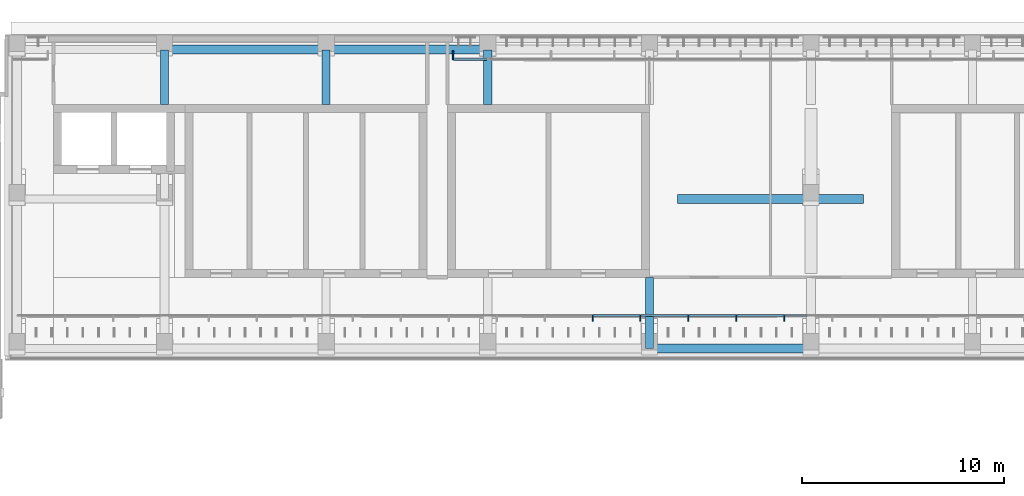
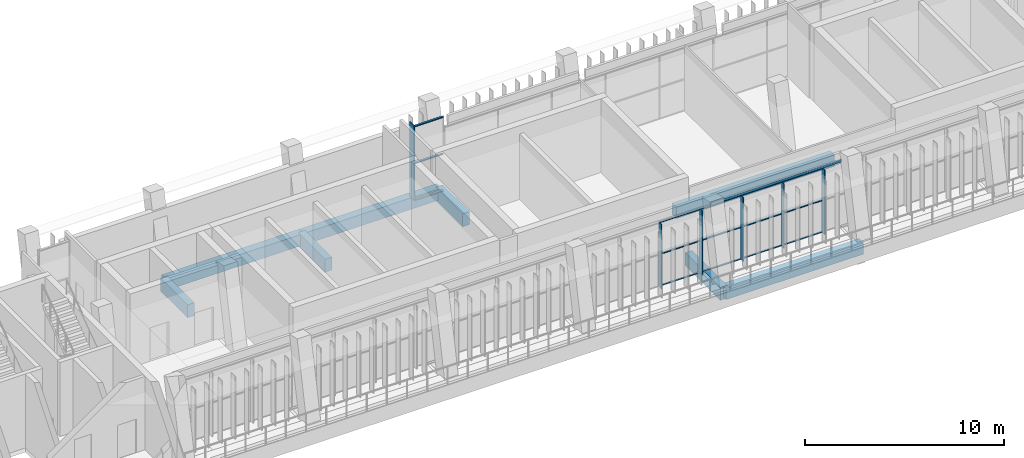
# One storey, part 35 of 89: 21 members, 9 beams, 2 elements without a shape of their own.
"""IFC4 building model written with IfcOpenShell, lengths in metres."""

import ifcopenshell
import ifcopenshell.guid

model = None  # the IFC model being written
_history = None  # IfcOwnerHistory: only IFC2X3 demands one
_inside = {}  # id of a spatial element -> (the spatial element, [elements in it])
_under = {}  # id of a project, library or spatial element -> (it, [spatial elements below it])
_declared = {}  # id of a project -> (the project, [libraries it declares])
_typed = {}  # id of a type object -> (the type object, [elements of that type])
_made_of = {}  # id of a material, layer set ... -> (it, [elements and type objects made of it])


def new_model(schema):
    """Start an empty IFC model of exactly this schema.

    Asked for "IFC4X3", IfcOpenShell would pick the latest addendum, in which some entities
    have other attributes; the version numbers below select the first issue.
    IFC2X3 requires an IfcOwnerHistory on every rooted entity: one is made here for all.
    """
    global model, _history
    if schema == "IFC4X3":
        model = ifcopenshell.file(schema_version=(4, 3, 0, 0))
    else:
        model = ifcopenshell.file(schema=schema)
    _inside.clear()
    _under.clear()
    _declared.clear()
    _typed.clear()
    _made_of.clear()
    _history = None
    if model.schema == "IFC2X3":
        org = make("IfcOrganization", Name="unknown")
        user = make(
            "IfcPersonAndOrganization",
            ThePerson=make("IfcPerson", FamilyName="unknown"),
            TheOrganization=org,
        )
        app = make(
            "IfcApplication",
            ApplicationDeveloper=org,
            Version="unknown",
            ApplicationFullName="unknown",
            ApplicationIdentifier="unknown",
        )
        _history = make(
            "IfcOwnerHistory",
            OwningUser=user,
            OwningApplication=app,
            ChangeAction="ADDED",
            CreationDate=0,
        )
    return model


def make(cls, **values):
    """One entity of the class cls with the attributes given. An attribute that is None is left unset."""
    return model.create_entity(
        cls, **{name: value for name, value in values.items() if value is not None}
    )


def rooted(cls, **values):
    """An entity with a GlobalId (a new one), such as an element, a storey or a relation."""
    return make(cls, GlobalId=ifcopenshell.guid.new(), OwnerHistory=_history, **values)


def si_unit(unit_type, name, prefix=None):
    """IfcSIUnit, for example si_unit("LENGTHUNIT", "METRE", prefix="MILLI")."""
    return make("IfcSIUnit", UnitType=unit_type, Prefix=prefix, Name=name)


def assignment(units):
    """IfcUnitAssignment: the units of a project."""
    return None if units is None else make("IfcUnitAssignment", Units=units)


def point(xyz):
    """IfcCartesianPoint."""
    return None if xyz is None else make("IfcCartesianPoint", Coordinates=xyz)


def direction(xyz):
    """IfcDirection."""
    return None if xyz is None else make("IfcDirection", DirectionRatios=xyz)


def frame(location, z_axis=None, x_axis=None):
    """IfcAxis2Placement3D, a coordinate frame: its origin and axes. An axis left out is left unset."""
    return make(
        "IfcAxis2Placement3D",
        Location=point(location),
        Axis=direction(z_axis),
        RefDirection=direction(x_axis),
    )


def frame_2d(location, x_axis=None):
    """IfcAxis2Placement2D, a coordinate frame in the plane: its origin and x axis."""
    return make(
        "IfcAxis2Placement2D", Location=point(location), RefDirection=direction(x_axis)
    )


def origin():
    """The frame at (0, 0, 0) with its axes left unset."""
    return frame((0.0, 0.0, 0.0))


def origin_2d():
    """The frame at (0, 0) in the plane with its x axis left unset."""
    return frame_2d((0.0, 0.0))


def place(relative_to, where):
    """IfcLocalPlacement: puts the frame where relative to a parent placement (None: the world)."""
    return make(
        "IfcLocalPlacement", PlacementRelTo=relative_to, RelativePlacement=where
    )


def context(
    kind, dimensions, precision=None, world=None, true_north=None, identifier=None
):
    """IfcGeometricRepresentationContext, for example the 3D "Model" context."""
    return make(
        "IfcGeometricRepresentationContext",
        ContextIdentifier=identifier,
        ContextType=kind,
        CoordinateSpaceDimension=dimensions,
        Precision=precision,
        WorldCoordinateSystem=world,
        TrueNorth=true_north,
    )


def subcontext(parent, identifier, kind, view, scale=None):
    """IfcGeometricRepresentationSubContext, for example "Body" below "Model"."""
    return make(
        "IfcGeometricRepresentationSubContext",
        ContextIdentifier=identifier,
        ContextType=kind,
        ParentContext=parent,
        TargetScale=scale,
        TargetView=view,
    )


def project(units=None, contexts=None):
    """IfcProject with its units and contexts."""
    return rooted(
        "IfcProject",
        Name="project",
        RepresentationContexts=contexts,
        UnitsInContext=assignment(units),
    )


def spatial(cls, under=None, at=None, **own):
    """A site, building, storey or space (cls), placed at a placement, below another one or the project."""
    s = rooted(cls, ObjectPlacement=at, **own)
    if under is not None:
        _under.setdefault(under.id(), (under, []))[1].append(s)
    return s


def profile(cls, at=None, kind="AREA", **sizes):
    """A parametric profile (cls). Its sizes go by their IFC names, for example OverallWidth=200.0."""
    return make(cls, ProfileType=kind, Position=at, **sizes)


def rectangle(**sizes):
    """IfcRectangleProfileDef."""
    return profile("IfcRectangleProfileDef", **sizes)


def hollow_rectangle(**sizes):
    """IfcRectangleHollowProfileDef."""
    return profile("IfcRectangleHollowProfileDef", **sizes)


def extrude(swept, where, along, depth):
    """IfcExtrudedAreaSolid: the profile swept, set in the frame where, extruded along a direction by depth."""
    return make(
        "IfcExtrudedAreaSolid",
        SweptArea=swept,
        Position=where,
        ExtrudedDirection=direction(along),
        Depth=depth,
    )


def shape(context_of_items, identifier, shape_type, items):
    """IfcShapeRepresentation: the items that make up one representation, for example the "Body"."""
    return make(
        "IfcShapeRepresentation",
        ContextOfItems=context_of_items,
        RepresentationIdentifier=identifier,
        RepresentationType=shape_type,
        Items=items,
    )


def material(Name=None, Category=None):
    """IfcMaterial."""
    return make("IfcMaterial", Name=Name, Category=Category)


def material_profile(
    of_material, cross_section, Name=None, Category=None, Priority=None
):
    """IfcMaterialProfile: a cross section and its material."""
    return make(
        "IfcMaterialProfile",
        Name=Name,
        Material=of_material,
        Profile=cross_section,
        Priority=Priority,
        Category=Category,
    )


def profile_set(profiles, Name=None, composite=None):
    """IfcMaterialProfileSet."""
    return make(
        "IfcMaterialProfileSet",
        Name=Name,
        MaterialProfiles=profiles,
        CompositeProfile=composite,
    )


def made_of(thing, what):
    """Note that an element or type object is made of a material, layer set ...; save() writes the relation."""
    if what is not None:
        _made_of.setdefault(what.id(), (what, []))[1].append(thing)
    return thing


def type_object(cls, material=None, **own):
    """A type object (cls), such as IfcWallType, which elements share."""
    return made_of(rooted(cls, **own), material)


def element(
    cls,
    number,
    at=None,
    inside=None,
    cuts=None,
    type_object=None,
    material=None,
    context=None,
    identifier="Body",
    shape_type=None,
    held_by="IfcProductDefinitionShape",
    body=None,
    shapes=None,
    **own,
):
    """One element of the class cls, such as IfcWall. Its Tag is "e" and its number.

    at: its placement. inside: the storey or other place that contains it. cuts: it is an
    opening in that element (IfcRelVoidsElement). A single representation is given by context,
    identifier, shape_type and body (its items); several are given by shapes. held_by: the class
    of the entity that holds the representations. save() writes the other relations.
    """
    e = rooted(cls, Tag="e%d" % number, ObjectPlacement=at, **own)
    if body is not None:
        shapes = [shape(context, identifier, shape_type, body)]
    if shapes is not None:
        e.Representation = make(held_by, Representations=shapes)
    if inside is not None:
        _inside.setdefault(inside.id(), (inside, []))[1].append(e)
    if cuts is not None:
        rooted(
            "IfcRelVoidsElement", RelatingBuildingElement=cuts, RelatedOpeningElement=e
        )
    if type_object is not None:
        _typed.setdefault(type_object.id(), (type_object, []))[1].append(e)
    return made_of(e, material)


def aggregate(whole, parts):
    """IfcRelAggregates: a whole, such as a stair, and the parts it consists of."""
    return rooted("IfcRelAggregates", RelatingObject=whole, RelatedObjects=parts)


def save(model, path):
    """Write the relations noted so far, then the file.

    IfcRelAggregates (storeys below a building ...), IfcRelContainedInSpatialStructure (elements
    in a storey), IfcRelDefinesByType, IfcRelAssociatesMaterial and IfcRelDeclares: one each for
    every whole, place, type object, material and project.
    """
    for whole, parts in _under.values():
        aggregate(whole, parts)
    for where, things in _inside.values():
        rooted(
            "IfcRelContainedInSpatialStructure",
            RelatedElements=things,
            RelatingStructure=where,
        )
    for kind, things in _typed.values():
        rooted("IfcRelDefinesByType", RelatedObjects=things, RelatingType=kind)
    for what, things in _made_of.values():
        rooted("IfcRelAssociatesMaterial", RelatedObjects=things, RelatingMaterial=what)
    for by, libraries in _declared.values():
        rooted("IfcRelDeclares", RelatingContext=by, RelatedDefinitions=libraries)
    model.write(path)


model = new_model("IFC4")

# Units and contexts
model_context = context("Model", 3, precision=1e-05, world=origin(), true_north=direction((0.0, 1.0)))
body_context = subcontext(model_context, "Body", "Model", "MODEL_VIEW")
ifc_project = project(units=[si_unit("LENGTHUNIT", "METRE"), si_unit("AREAUNIT", "SQUARE_METRE"), si_unit("VOLUMEUNIT", "CUBIC_METRE"), si_unit("PLANEANGLEUNIT", "RADIAN"), si_unit("MASSUNIT", "GRAM", prefix="KILO")], contexts=[model_context])

# Site, building, storey
site_placement = place(None, origin())
site = spatial("IfcSite", under=ifc_project, at=site_placement, CompositionType="ELEMENT")
building_placement = place(site_placement, origin())
building = spatial("IfcBuilding", under=site, at=building_placement, Name="Lantern Court Media Centre", CompositionType="ELEMENT")
storey_placement = place(building_placement, frame((0.0, 0.0, 14.39990234375)))
storey = spatial("IfcBuildingStorey", under=building, at=storey_placement, Name="L03", CompositionType="ELEMENT", Elevation=14.39990234375)

# Curtain wall, members
ifc_material_1 = material(Name="Curtain wall bay 2400")
curtain_wall_type_1 = type_object("IfcCurtainWallType", Name="Curtain wall bay 2400", PredefinedType="NOTDEFINED", material=ifc_material_1)
curtain_wall_1_placement = place(storey_placement, origin())
curtain_wall_1 = element("IfcCurtainWall", 1, at=curtain_wall_1_placement, inside=storey, type_object=curtain_wall_type_1, Name="Curtain wall N inner L03", PredefinedType="NOTDEFINED")
ifc_material_2 = material(Name="Anodised aluminium", Category="aluminium")
ifc_material_profile_1 = material_profile(ifc_material_2, rectangle(XDim=0.300048828125, YDim=0.050048828125, at=origin_2d()), Name="AL 50x300")
ifc_profile_set_1 = profile_set([ifc_material_profile_1], Name="Anodised aluminium")
member_type_1 = type_object("IfcMemberType", Name="Curtain wall mullion 50x300", PredefinedType="MULLION", material=ifc_profile_set_1)
member_1_placement = place(storey_placement, frame((53.18701171875, 101.030029296875, 0.0), z_axis=(0.0, 0.0, 1.0), x_axis=(0.0, 1.0, 0.0)))
member_1 = element("IfcMember", 2, at=member_1_placement, type_object=member_type_1, Name="CW2 mullion 13", PredefinedType="MULLION", context=body_context, shape_type="SweptSolid", body=[
    extrude(rectangle(XDim=0.300048828125, YDim=0.050048828125, at=origin_2d()), origin(), (0.0, 0.0, 1.0), 3.9501953125),
])
member_2_placement = place(storey_placement, frame((55.560791015625, 101.030029296875, 0.0), z_axis=(0.0, 0.0, 1.0), x_axis=(0.0, 1.0, 0.0)))
member_2 = element("IfcMember", 3, at=member_2_placement, type_object=member_type_1, Name="CW2 mullion 14", PredefinedType="MULLION", context=body_context, shape_type="SweptSolid", body=[
    extrude(rectangle(XDim=0.300048828125, YDim=0.050048828125, at=origin_2d()), origin(), (0.0, 0.0, 1.0), 3.9501953125),
])
member_3_placement = place(storey_placement, frame((57.934814453125, 101.030029296875, 0.0), z_axis=(0.0, 0.0, 1.0), x_axis=(0.0, 1.0, 0.0)))
member_3 = element("IfcMember", 4, at=member_3_placement, type_object=member_type_1, Name="CW2 mullion 15", PredefinedType="MULLION", context=body_context, shape_type="SweptSolid", body=[
    extrude(rectangle(XDim=0.300048828125, YDim=0.050048828125, at=origin_2d()), origin(), (0.0, 0.0, 1.0), 3.9501953125),
])
member_4_placement = place(storey_placement, frame((60.30859375, 101.030029296875, 0.0), z_axis=(0.0, 0.0, 1.0), x_axis=(0.0, 1.0, 0.0)))
member_4 = element("IfcMember", 5, at=member_4_placement, type_object=member_type_1, Name="CW2 mullion 16", PredefinedType="MULLION", context=body_context, shape_type="SweptSolid", body=[
    extrude(rectangle(XDim=0.300048828125, YDim=0.050048828125, at=origin_2d()), origin(), (0.0, 0.0, 1.0), 3.9501953125),
])
member_5_placement = place(storey_placement, frame((62.6826171875, 101.030029296875, 0.0), z_axis=(0.0, 0.0, 1.0), x_axis=(0.0, 1.0, 0.0)))
member_5 = element("IfcMember", 6, at=member_5_placement, type_object=member_type_1, Name="CW2 mullion 17", PredefinedType="MULLION", context=body_context, shape_type="SweptSolid", body=[
    extrude(rectangle(XDim=0.300048828125, YDim=0.050048828125, at=origin_2d()), origin(), (0.0, 0.0, 1.0), 3.9501953125),
])

# Curtain wall, member
ifc_material_3 = material(Name="Curtain wall bay 3000")
curtain_wall_type_2 = type_object("IfcCurtainWallType", Name="Curtain wall bay 3000", PredefinedType="NOTDEFINED", material=ifc_material_3)
curtain_wall_2_placement = place(storey_placement, origin())
curtain_wall_2 = element("IfcCurtainWall", 7, at=curtain_wall_2_placement, inside=storey, type_object=curtain_wall_type_2, Name="Curtain wall N outer L03", PredefinedType="NOTDEFINED")
ifc_material_profile_2 = material_profile(ifc_material_2, rectangle(XDim=0.449951171875, YDim=0.06005859375, at=origin_2d()), Name="AL 60x450")
ifc_profile_set_2 = profile_set([ifc_material_profile_2], Name="Anodised aluminium")
member_type_2 = type_object("IfcMemberType", Name="Curtain wall mullion 60x450", PredefinedType="MULLION", material=ifc_profile_set_2)
member_6_placement = place(storey_placement, frame((46.280029296875, 114.044921875, 0.0), z_axis=(0.0, 0.0, 1.0), x_axis=(0.0, 1.0, 0.0)))
member_6 = element("IfcMember", 8, at=member_6_placement, type_object=member_type_2, Name="CW1 mullion 1", PredefinedType="MULLION", context=body_context, shape_type="SweptSolid", body=[
    extrude(rectangle(XDim=0.449951171875, YDim=0.06005859375, at=origin_2d()), origin(), (0.0, 0.0, 1.0), 4.580078125),
])

# Member
ifc_material_profile_3 = material_profile(ifc_material_2, rectangle(XDim=0.10009765625, YDim=0.050048828125, at=origin_2d()), Name="AL 50x100")
ifc_profile_set_3 = profile_set([ifc_material_profile_3], Name="Anodised aluminium")
member_type_3 = type_object("IfcMemberType", Name="Curtain wall transom 100x50", PredefinedType="USERDEFINED", material=ifc_profile_set_3)
member_7_placement = place(storey_placement, frame((53.2119140625, 101.14990234375, 0.025146484375), z_axis=(1.0, 0.0, 0.0), x_axis=(0.0, 1.0, 0.0)))
member_7 = element("IfcMember", 9, at=member_7_placement, type_object=member_type_3, Name="CW2 transom 13.1", ObjectType="TRANSOM", PredefinedType="USERDEFINED", context=body_context, shape_type="SweptSolid", body=[
    extrude(rectangle(XDim=0.10009765625, YDim=0.050048828125, at=origin_2d()), origin(), (0.0, 0.0, 1.0), 2.323974609375),
])

member_8_placement = place(storey_placement, frame((53.2119140625, 101.14990234375, 1.97509765625), z_axis=(1.0, 0.0, 0.0), x_axis=(0.0, 1.0, 0.0)))
member_8 = element("IfcMember", 10, at=member_8_placement, type_object=member_type_3, Name="CW2 transom 13.2", ObjectType="TRANSOM", PredefinedType="USERDEFINED", context=body_context, shape_type="SweptSolid", body=[
    extrude(rectangle(XDim=0.10009765625, YDim=0.050048828125, at=origin_2d()), origin(), (0.0, 0.0, 1.0), 2.323974609375),
])

member_9_placement = place(storey_placement, frame((53.2119140625, 101.14990234375, 3.925048828125), z_axis=(1.0, 0.0, 0.0), x_axis=(0.0, 1.0, 0.0)))
member_9 = element("IfcMember", 11, at=member_9_placement, type_object=member_type_3, Name="CW2 transom 13.3", ObjectType="TRANSOM", PredefinedType="USERDEFINED", context=body_context, shape_type="SweptSolid", body=[
    extrude(rectangle(XDim=0.10009765625, YDim=0.050048828125, at=origin_2d()), origin(), (0.0, 0.0, 1.0), 2.323974609375),
])

member_10_placement = place(storey_placement, frame((55.5859375, 101.14990234375, 0.025146484375), z_axis=(1.0, 0.0, 0.0), x_axis=(0.0, 1.0, 0.0)))
member_10 = element("IfcMember", 12, at=member_10_placement, type_object=member_type_3, Name="CW2 transom 14.1", ObjectType="TRANSOM", PredefinedType="USERDEFINED", context=body_context, shape_type="SweptSolid", body=[
    extrude(rectangle(XDim=0.10009765625, YDim=0.050048828125, at=origin_2d()), origin(), (0.0, 0.0, 1.0), 2.32373046875),
])

member_11_placement = place(storey_placement, frame((55.5859375, 101.14990234375, 1.97509765625), z_axis=(1.0, 0.0, 0.0), x_axis=(0.0, 1.0, 0.0)))
member_11 = element("IfcMember", 13, at=member_11_placement, type_object=member_type_3, Name="CW2 transom 14.2", ObjectType="TRANSOM", PredefinedType="USERDEFINED", context=body_context, shape_type="SweptSolid", body=[
    extrude(rectangle(XDim=0.10009765625, YDim=0.050048828125, at=origin_2d()), origin(), (0.0, 0.0, 1.0), 2.32373046875),
])

member_12_placement = place(storey_placement, frame((55.5859375, 101.14990234375, 3.925048828125), z_axis=(1.0, 0.0, 0.0), x_axis=(0.0, 1.0, 0.0)))
member_12 = element("IfcMember", 14, at=member_12_placement, type_object=member_type_3, Name="CW2 transom 14.3", ObjectType="TRANSOM", PredefinedType="USERDEFINED", context=body_context, shape_type="SweptSolid", body=[
    extrude(rectangle(XDim=0.10009765625, YDim=0.050048828125, at=origin_2d()), origin(), (0.0, 0.0, 1.0), 2.32373046875),
])

member_13_placement = place(storey_placement, frame((57.959716796875, 101.14990234375, 0.025146484375), z_axis=(1.0, 0.0, 0.0), x_axis=(0.0, 1.0, 0.0)))
member_13 = element("IfcMember", 15, at=member_13_placement, type_object=member_type_3, Name="CW2 transom 15.1", ObjectType="TRANSOM", PredefinedType="USERDEFINED", context=body_context, shape_type="SweptSolid", body=[
    extrude(rectangle(XDim=0.10009765625, YDim=0.050048828125, at=origin_2d()), origin(), (0.0, 0.0, 1.0), 2.323974609375),
])

member_14_placement = place(storey_placement, frame((57.959716796875, 101.14990234375, 1.97509765625), z_axis=(1.0, 0.0, 0.0), x_axis=(0.0, 1.0, 0.0)))
member_14 = element("IfcMember", 16, at=member_14_placement, type_object=member_type_3, Name="CW2 transom 15.2", ObjectType="TRANSOM", PredefinedType="USERDEFINED", context=body_context, shape_type="SweptSolid", body=[
    extrude(rectangle(XDim=0.10009765625, YDim=0.050048828125, at=origin_2d()), origin(), (0.0, 0.0, 1.0), 2.323974609375),
])

member_15_placement = place(storey_placement, frame((57.959716796875, 101.14990234375, 3.925048828125), z_axis=(1.0, 0.0, 0.0), x_axis=(0.0, 1.0, 0.0)))
member_15 = element("IfcMember", 17, at=member_15_placement, type_object=member_type_3, Name="CW2 transom 15.3", ObjectType="TRANSOM", PredefinedType="USERDEFINED", context=body_context, shape_type="SweptSolid", body=[
    extrude(rectangle(XDim=0.10009765625, YDim=0.050048828125, at=origin_2d()), origin(), (0.0, 0.0, 1.0), 2.323974609375),
])

member_16_placement = place(storey_placement, frame((60.333740234375, 101.14990234375, 0.025146484375), z_axis=(1.0, 0.0, 0.0), x_axis=(0.0, 1.0, 0.0)))
member_16 = element("IfcMember", 18, at=member_16_placement, type_object=member_type_3, Name="CW2 transom 16.1", ObjectType="TRANSOM", PredefinedType="USERDEFINED", context=body_context, shape_type="SweptSolid", body=[
    extrude(rectangle(XDim=0.10009765625, YDim=0.050048828125, at=origin_2d()), origin(), (0.0, 0.0, 1.0), 2.323974609375),
])

member_17_placement = place(storey_placement, frame((60.333740234375, 101.14990234375, 1.97509765625), z_axis=(1.0, 0.0, 0.0), x_axis=(0.0, 1.0, 0.0)))
member_17 = element("IfcMember", 19, at=member_17_placement, type_object=member_type_3, Name="CW2 transom 16.2", ObjectType="TRANSOM", PredefinedType="USERDEFINED", context=body_context, shape_type="SweptSolid", body=[
    extrude(rectangle(XDim=0.10009765625, YDim=0.050048828125, at=origin_2d()), origin(), (0.0, 0.0, 1.0), 2.323974609375),
])

member_18_placement = place(storey_placement, frame((60.333740234375, 101.14990234375, 3.925048828125), z_axis=(1.0, 0.0, 0.0), x_axis=(0.0, 1.0, 0.0)))
member_18 = element("IfcMember", 20, at=member_18_placement, type_object=member_type_3, Name="CW2 transom 16.3", ObjectType="TRANSOM", PredefinedType="USERDEFINED", context=body_context, shape_type="SweptSolid", body=[
    extrude(rectangle(XDim=0.10009765625, YDim=0.050048828125, at=origin_2d()), origin(), (0.0, 0.0, 1.0), 2.323974609375),
])

aggregate(curtain_wall_1, [member_1, member_2, member_3, member_4, member_5, member_7, member_8, member_9, member_10, member_11, member_12, member_13, member_14, member_15, member_16, member_17, member_18])

ifc_material_profile_4 = material_profile(ifc_material_2, rectangle(XDim=0.1201171875, YDim=0.06005859375, at=origin_2d()), Name="AL 60x120")
ifc_profile_set_4 = profile_set([ifc_material_profile_4], Name="Anodised aluminium")
member_type_4 = type_object("IfcMemberType", Name="Curtain wall transom 60x120", PredefinedType="USERDEFINED", material=ifc_profile_set_4)
member_19_placement = place(storey_placement, frame((46.31005859375, 113.85009765625, 0.030029296875), z_axis=(1.0, 0.0, 0.0), x_axis=(0.0, 1.0, 0.0)))
member_19 = element("IfcMember", 21, at=member_19_placement, type_object=member_type_4, Name="CW1 transom 1.1", ObjectType="TRANSOM", PredefinedType="USERDEFINED", context=body_context, shape_type="SweptSolid", body=[
    extrude(rectangle(XDim=0.1201171875, YDim=0.06005859375, at=origin_2d()), origin(), (0.0, 0.0, 1.0), 1.6298828125),
])

member_20_placement = place(storey_placement, frame((46.31005859375, 113.85009765625, 2.2900390625), z_axis=(1.0, 0.0, 0.0), x_axis=(0.0, 1.0, 0.0)))
member_20 = element("IfcMember", 22, at=member_20_placement, type_object=member_type_4, Name="CW1 transom 1.2", ObjectType="TRANSOM", PredefinedType="USERDEFINED", context=body_context, shape_type="SweptSolid", body=[
    extrude(rectangle(XDim=0.1201171875, YDim=0.06005859375, at=origin_2d()), origin(), (0.0, 0.0, 1.0), 1.6298828125),
])

member_21_placement = place(storey_placement, frame((46.31005859375, 113.85009765625, 4.550048828125), z_axis=(1.0, 0.0, 0.0), x_axis=(0.0, 1.0, 0.0)))
member_21 = element("IfcMember", 23, at=member_21_placement, type_object=member_type_4, Name="CW1 transom 1.3", ObjectType="TRANSOM", PredefinedType="USERDEFINED", context=body_context, shape_type="SweptSolid", body=[
    extrude(rectangle(XDim=0.1201171875, YDim=0.06005859375, at=origin_2d()), origin(), (0.0, 0.0, 1.0), 1.6298828125),
])

aggregate(curtain_wall_2, [member_6, member_19, member_20, member_21])

# Beams
ifc_material_4 = material(Name="Steel S355J2 (EN 10025-2)", Category="steel")
ifc_material_profile_5 = material_profile(ifc_material_4, hollow_rectangle(XDim=0.10009765625, YDim=0.14990234375, WallThickness=0.00634765625, InnerFilletRadius=0.00634765625, OuterFilletRadius=0.009521484375, at=origin_2d()), Name="Facade head lintel RHS 150x100x6.3")
ifc_profile_set_5 = profile_set([ifc_material_profile_5], Name="Steel S355J2 (EN 10025-2)")
beam_type_1 = type_object("IfcBeamType", Name="Facade head lintel RHS 150x100x6.3", PredefinedType="BEAM", material=ifc_profile_set_5)
beam_1_placement = place(storey_placement, frame((56.199951171875, 101.14990234375, 4.025146484375), z_axis=(1.0, 0.0, 0.0), x_axis=(0.0, 1.0, 0.0)))
element("IfcBeam", 24, at=beam_1_placement, inside=storey, type_object=beam_type_1, Name="Facade head lintel N L03", PredefinedType="BEAM", context=body_context, shape_type="SweptSolid", body=[
    extrude(hollow_rectangle(XDim=0.10009765625, YDim=0.14990234375, WallThickness=0.00634765625, InnerFilletRadius=0.00634765625, OuterFilletRadius=0.009521484375, at=origin_2d()), origin(), (0.0, 0.0, 1.0), 7.60009765625),
])
ifc_material_5 = material(Name="Concrete C35", Category="concrete")
ifc_material_profile_6 = material_profile(ifc_material_5, rectangle(XDim=0.39990234375, YDim=0.800048828125, at=origin_2d()), Name="RC 400x800")
ifc_profile_set_6 = profile_set([ifc_material_profile_6], Name="Concrete C35")
beam_type_2 = type_object("IfcBeamType", Name="RC BEAM 400x800", PredefinedType="BEAM", material=ifc_profile_set_6)
for number, where, z_axis, x_axis, name in (
    (25, (32.0, 111.60009765625, -0.39990234375), (0.0, 1.0, 0.0), (-1.0, 0.0, 0.0), "TB-N-L03-1-21"),
    (26, (40.0, 111.60009765625, -0.39990234375), (0.0, 1.0, 0.0), (-1.0, 0.0, 0.0), "TB-N-L03-2-11"),
    (27, (48.0, 111.60009765625, -0.39990234375), (0.0, 1.0, 0.0), (-1.0, 0.0, 0.0), "TB-N-L03-3-11"),
):
    element("IfcBeam", number, at=place(storey_placement, frame(where, z_axis=z_axis, x_axis=x_axis)), inside=storey, type_object=beam_type_2, Name=name, PredefinedType="BEAM", context=body_context, shape_type="SweptSolid", body=[
        extrude(rectangle(XDim=0.39990234375, YDim=0.800048828125, at=origin_2d()), origin(), (0.0, 0.0, 1.0), 2.716552734375),
    ])
beam_2_placement = place(storey_placement, frame((56.0, 99.5166015625, -0.39990234375), z_axis=(0.0, 1.0, 0.0), x_axis=(-1.0, 0.0, 0.0)))
element("IfcBeam", 28, at=beam_2_placement, inside=storey, type_object=beam_type_2, Name="TB-N-L03-4-1", PredefinedType="BEAM", context=body_context, shape_type="SweptSolid", body=[
    extrude(rectangle(XDim=0.39990234375, YDim=0.800048828125, at=origin_2d()), origin(), (0.0, 0.0, 1.0), 3.533447265625),
])
ifc_material_profile_7 = material_profile(ifc_material_5, rectangle(XDim=0.449951171875, YDim=0.699951171875, at=origin_2d()), Name="RC 450x700")
ifc_profile_set_7 = profile_set([ifc_material_profile_7], Name="Concrete C35")
beam_type_3 = type_object("IfcBeamType", Name="RC BEAM 450x700", PredefinedType="BEAM", material=ifc_profile_set_7)
beam_3_placement = place(storey_placement, frame((56.0, 99.527099609375, -0.349853515625), z_axis=(1.0, 0.0, 0.0), x_axis=(0.0, 1.0, 0.0)))
element("IfcBeam", 29, at=beam_3_placement, inside=storey, type_object=beam_type_3, Name="LB-N-L03-0-4", PredefinedType="BEAM", context=body_context, shape_type="SweptSolid", body=[
    extrude(rectangle(XDim=0.449951171875, YDim=0.699951171875, at=origin_2d()), origin(), (0.0, 0.0, 1.0), 8.0),
])
beam_4_placement = place(storey_placement, frame((57.39990234375, 106.927001953125, -0.349853515625), z_axis=(1.0, 0.0, 0.0), x_axis=(0.0, 1.0, 0.0)))
element("IfcBeam", 30, at=beam_4_placement, inside=storey, type_object=beam_type_3, Name="LB-N-L03-1-1", PredefinedType="BEAM", context=body_context, shape_type="SweptSolid", body=[
    extrude(rectangle(XDim=0.449951171875, YDim=0.699951171875, at=origin_2d()), origin(), (0.0, 0.0, 1.0), 9.2001953125),
])
for number, where, z_axis, x_axis, name in (
    (31, (32.0, 114.3271484375, -0.349853515625), (1.0, 0.0, 0.0), (0.0, 1.0, 0.0), "LB-N-L03-2-1"),
    (32, (40.0, 114.3271484375, -0.349853515625), (1.0, 0.0, 0.0), (0.0, 1.0, 0.0), "LB-N-L03-2-2"),
):
    element("IfcBeam", number, at=place(storey_placement, frame(where, z_axis=z_axis, x_axis=x_axis)), inside=storey, type_object=beam_type_3, Name=name, PredefinedType="BEAM", context=body_context, shape_type="SweptSolid", body=[
        extrude(rectangle(XDim=0.449951171875, YDim=0.699951171875, at=origin_2d()), origin(), (0.0, 0.0, 1.0), 8.0),
    ])

save(model, "model.ifc")
